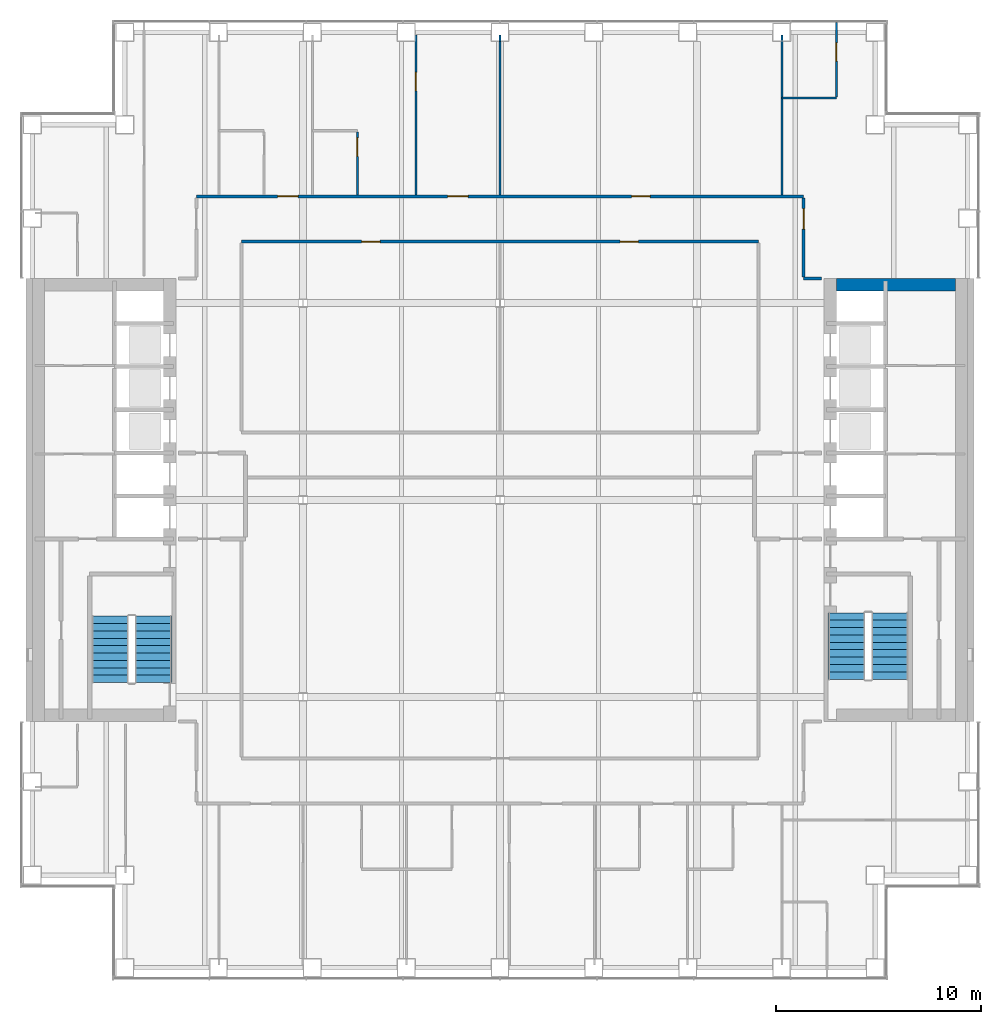
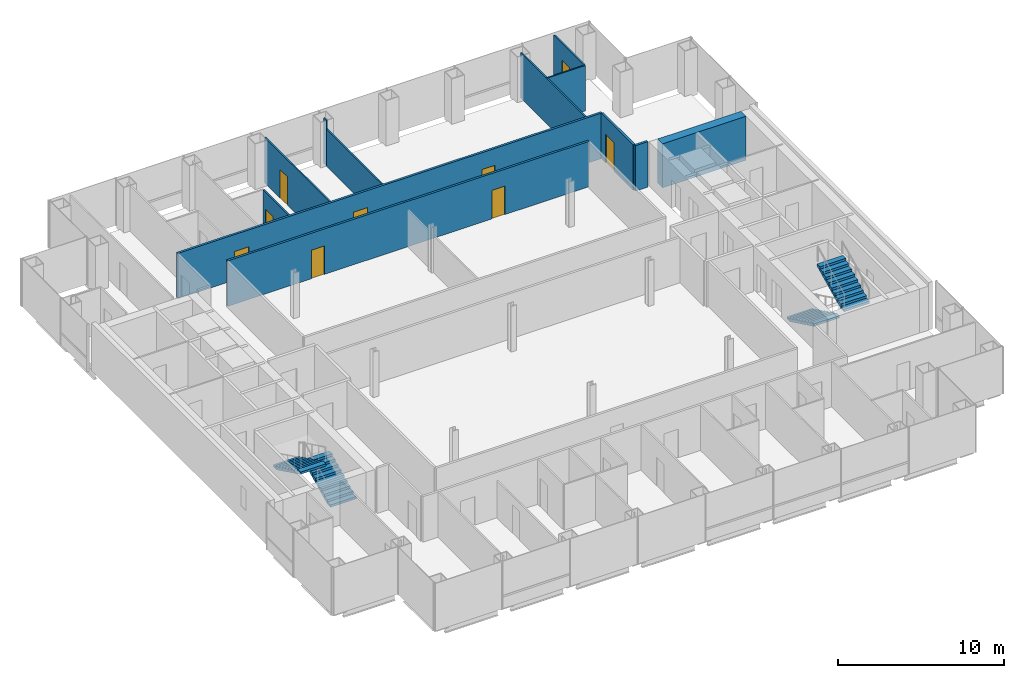
# One storey, part 13 of 15: 12 walls, 9 doors, 4 stair flights, 9 openings, 2 elements without a shape of their own.
"""IFC4 building model written with IfcOpenShell, lengths in metres."""

from ifc_helpers import new_model, si_unit, direction, frame, frame_2d, origin, place, context, subcontext, project, spatial, polyline, rectangle, outline, extrude, material, layer, layer_set, type_object, element, fill, aggregate, save


model = new_model("IFC4")

# Units and contexts
model_context = context("Model", 3, precision=1e-05, world=origin(), true_north=direction((0.0, 1.0)))
body_context = subcontext(model_context, "Body", "Model", "MODEL_VIEW")
ifc_project = project(units=[si_unit("LENGTHUNIT", "METRE"), si_unit("AREAUNIT", "SQUARE_METRE"), si_unit("VOLUMEUNIT", "CUBIC_METRE"), si_unit("PLANEANGLEUNIT", "RADIAN"), si_unit("MASSUNIT", "GRAM", prefix="KILO")], contexts=[model_context])

# Site, building, storey
site_placement = place(None, origin())
site = spatial("IfcSite", under=ifc_project, at=site_placement, CompositionType="ELEMENT")
building_placement = place(site_placement, origin())
building = spatial("IfcBuilding", under=site, at=building_placement, Name="Cobrizo Arcos Hotel Tower", CompositionType="ELEMENT")
storey_placement = place(building_placement, frame((0.0, 0.0, 99.5)))
storey = spatial("IfcBuildingStorey", under=building, at=storey_placement, Name="L24", CompositionType="ELEMENT", Elevation=99.5)

# Wall
ifc_material_1 = material(Name="Gypsum board partition")
ifc_layer_1 = layer(ifc_material_1, 0.14990234375)
ifc_layer_set_1 = layer_set([ifc_layer_1], Name="Corridor wall EI 60 150")
wall_type_1 = type_object("IfcWallType", Name="Corridor wall EI 60 150", PredefinedType="PARTITIONING", material=ifc_layer_set_1)
wall_1_placement = place(storey_placement, frame((14.800048828125, 10.800048828125, 0.0), z_axis=(0.0, 0.0, 1.0), x_axis=(1.0, 0.0, 0.0)))
element("IfcWall", 1, at=wall_1_placement, inside=storey, type_object=wall_type_1, Name="Partition 036", PredefinedType="PARTITIONING", context=body_context, shape_type="SweptSolid", body=[
    extrude(rectangle(XDim=0.8798828125, YDim=0.14990234375, at=frame_2d((0.43994140625, 0.0))), origin(), (0.0, 0.0, 1.0), 3.35009765625),
])

# Wall, openings, doors
wall_2_placement = place(storey_placement, frame((-12.60009765625, 12.60009765625, 0.0), z_axis=(0.0, 0.0, 1.0), x_axis=(1.0, 0.0, 0.0)))
wall_2 = element("IfcWall", 2, at=wall_2_placement, inside=storey, type_object=wall_type_1, Name="Partition 037", PredefinedType="PARTITIONING", context=body_context, shape_type="SweptSolid", body=[
    extrude(rectangle(XDim=25.2001953125, YDim=0.14990234375, at=frame_2d((12.60009765625, 0.0))), origin(), (0.0, 0.0, 1.0), 3.35009765625),
])
opening_1_placement = place(wall_2_placement, frame((5.85009765625, 0.0, 0.0)))
opening_1 = element("IfcOpeningElement", 3, at=opening_1_placement, cuts=wall_2, Name="Opening RD-16", PredefinedType="OPENING", context=body_context, shape_type="SweptSolid", body=[
    extrude(rectangle(XDim=0.89990234375, YDim=2.10009765625, at=frame_2d((0.449951171875, 1.050048828125))), frame((0.0, 0.0869140625, 0.0), z_axis=(0.0, -1.0, 0.0), x_axis=(1.0, 0.0, 0.0)), (0.0, 0.0, 1.0), 0.173828125),
])
opening_2_placement = place(wall_2_placement, frame((18.449951171875, 0.0, 0.0)))
opening_2 = element("IfcOpeningElement", 4, at=opening_2_placement, cuts=wall_2, Name="Opening RD-17", PredefinedType="OPENING", context=body_context, shape_type="SweptSolid", body=[
    extrude(rectangle(XDim=0.89990234375, YDim=2.10009765625, at=frame_2d((0.449951171875, 1.050048828125))), frame((0.0, 0.0869140625, 0.0), z_axis=(0.0, -1.0, 0.0), x_axis=(1.0, 0.0, 0.0)), (0.0, 0.0, 1.0), 0.173828125),
])
ifc_material_2 = material(Name="Timber door leaf", Category="wood")
door_type_1 = type_object("IfcDoorType", Name="Room door FD30 900x2100", OperationType="SINGLE_SWING_LEFT", PredefinedType="DOOR", material=ifc_material_2)
door_1_placement = place(opening_1_placement, origin())
door_1 = element("IfcDoor", 5, at=door_1_placement, inside=storey, type_object=door_type_1, Name="Door RD-16", OperationType="SINGLE_SWING_LEFT", OverallHeight=2.10009765625, OverallWidth=0.89990234375, PredefinedType="DOOR", context=body_context, shape_type="SweptSolid", body=[
    extrude(rectangle(XDim=0.89990234375, YDim=2.10009765625, at=frame_2d((0.449951171875, 1.050048828125))), frame((0.0, 0.02490234375, 0.0), z_axis=(0.0, -1.0, 0.0), x_axis=(1.0, 0.0, 0.0)), (0.0, 0.0, 1.0), 0.050048828125),
])
fill(opening_1, door_1)
door_2_placement = place(opening_2_placement, origin())
door_2 = element("IfcDoor", 6, at=door_2_placement, inside=storey, type_object=door_type_1, Name="Door RD-17", OperationType="SINGLE_SWING_LEFT", OverallHeight=2.10009765625, OverallWidth=0.89990234375, PredefinedType="DOOR", context=body_context, shape_type="SweptSolid", body=[
    extrude(rectangle(XDim=0.89990234375, YDim=2.10009765625, at=frame_2d((0.449951171875, 1.050048828125))), frame((0.0, 0.02490234375, 0.0), z_axis=(0.0, -1.0, 0.0), x_axis=(1.0, 0.0, 0.0)), (0.0, 0.0, 1.0), 0.050048828125),
])
fill(opening_2, door_2)

wall_3_placement = place(storey_placement, frame((-14.800048828125, 14.800048828125, 0.0), z_axis=(0.0, 0.0, 1.0), x_axis=(1.0, 0.0, 0.0)))
wall_3 = element("IfcWall", 7, at=wall_3_placement, inside=storey, type_object=wall_type_1, Name="Partition 039", PredefinedType="PARTITIONING", context=body_context, shape_type="SweptSolid", body=[
    extrude(rectangle(XDim=29.60009765625, YDim=0.14990234375, at=frame_2d((14.800048828125, 0.0))), origin(), (0.0, 0.0, 1.0), 3.35009765625),
])
opening_3_placement = place(wall_3_placement, frame((3.962890625, 0.0, 0.0)))
opening_3 = element("IfcOpeningElement", 8, at=opening_3_placement, cuts=wall_3, Name="Opening GD-01", PredefinedType="OPENING", context=body_context, shape_type="SweptSolid", body=[
    extrude(rectangle(XDim=1.0, YDim=2.10009765625, at=frame_2d((0.5, 1.050048828125))), frame((0.0, 0.0869140625, 0.0), z_axis=(0.0, -1.0, 0.0), x_axis=(1.0, 0.0, 0.0)), (0.0, 0.0, 1.0), 0.173828125),
])
opening_4_placement = place(wall_3_placement, frame((12.240966796875, 0.0, 0.0)))
opening_4 = element("IfcOpeningElement", 9, at=opening_4_placement, cuts=wall_3, Name="Opening GD-02", PredefinedType="OPENING", context=body_context, shape_type="SweptSolid", body=[
    extrude(rectangle(XDim=1.0, YDim=2.10009765625, at=frame_2d((0.5, 1.050048828125))), frame((0.0, 0.0869140625, 0.0), z_axis=(0.0, -1.0, 0.0), x_axis=(1.0, 0.0, 0.0)), (0.0, 0.0, 1.0), 0.173828125),
])
opening_5_placement = place(wall_3_placement, frame((21.212890625, 0.0, 0.0)))
opening_5 = element("IfcOpeningElement", 10, at=opening_5_placement, cuts=wall_3, Name="Opening RD-10", PredefinedType="OPENING", context=body_context, shape_type="SweptSolid", body=[
    extrude(rectangle(XDim=0.89990234375, YDim=2.10009765625, at=frame_2d((0.449951171875, 1.050048828125))), frame((0.0, 0.0869140625, 0.0), z_axis=(0.0, -1.0, 0.0), x_axis=(1.0, 0.0, 0.0)), (0.0, 0.0, 1.0), 0.173828125),
])
door_type_2 = type_object("IfcDoorType", Name="Guest room door FD30S 1000x2100", OperationType="SINGLE_SWING_LEFT", PredefinedType="DOOR", material=ifc_material_2)
door_3_placement = place(opening_3_placement, origin())
door_3 = element("IfcDoor", 11, at=door_3_placement, inside=storey, type_object=door_type_2, Name="Door GD-01", OperationType="SINGLE_SWING_LEFT", OverallHeight=2.10009765625, OverallWidth=1.0, PredefinedType="DOOR", context=body_context, shape_type="SweptSolid", body=[
    extrude(rectangle(XDim=1.0, YDim=2.10009765625, at=frame_2d((0.5, 1.050048828125))), frame((0.0, 0.02490234375, 0.0), z_axis=(0.0, -1.0, 0.0), x_axis=(1.0, 0.0, 0.0)), (0.0, 0.0, 1.0), 0.050048828125),
])
fill(opening_3, door_3)
door_4_placement = place(opening_4_placement, origin())
door_4 = element("IfcDoor", 12, at=door_4_placement, inside=storey, type_object=door_type_2, Name="Door GD-02", OperationType="SINGLE_SWING_LEFT", OverallHeight=2.10009765625, OverallWidth=1.0, PredefinedType="DOOR", context=body_context, shape_type="SweptSolid", body=[
    extrude(rectangle(XDim=1.0, YDim=2.10009765625, at=frame_2d((0.5, 1.050048828125))), frame((0.0, 0.02490234375, 0.0), z_axis=(0.0, -1.0, 0.0), x_axis=(1.0, 0.0, 0.0)), (0.0, 0.0, 1.0), 0.050048828125),
])
fill(opening_4, door_4)
door_5_placement = place(opening_5_placement, origin())
door_5 = element("IfcDoor", 13, at=door_5_placement, inside=storey, type_object=door_type_1, Name="Door RD-10", OperationType="SINGLE_SWING_RIGHT", OverallHeight=2.10009765625, OverallWidth=0.89990234375, PredefinedType="DOOR", context=body_context, shape_type="SweptSolid", body=[
    extrude(rectangle(XDim=0.89990234375, YDim=2.10009765625, at=frame_2d((0.449951171875, 1.050048828125))), frame((0.0, 0.02490234375, 0.0), z_axis=(0.0, -1.0, 0.0), x_axis=(1.0, 0.0, 0.0)), (0.0, 0.0, 1.0), 0.050048828125),
])
fill(opening_5, door_5)

# Wall, opening, door
wall_4_placement = place(storey_placement, frame((14.800048828125, 10.875, 0.0), z_axis=(0.0, 0.0, 1.0), x_axis=(0.0, 1.0, 0.0)))
wall_4 = element("IfcWall", 14, at=wall_4_placement, inside=storey, type_object=wall_type_1, Name="Partition 085", PredefinedType="PARTITIONING", context=body_context, shape_type="SweptSolid", body=[
    extrude(rectangle(XDim=3.85009765625, YDim=0.14990234375, at=frame_2d((1.925048828125, 0.0))), origin(), (0.0, 0.0, 1.0), 3.35009765625),
])
opening_6_placement = place(wall_4_placement, frame((2.324951171875, 0.0, 0.0)))
opening_6 = element("IfcOpeningElement", 15, at=opening_6_placement, cuts=wall_4, Name="Opening GD-10", PredefinedType="OPENING", context=body_context, shape_type="SweptSolid", body=[
    extrude(rectangle(XDim=1.0, YDim=2.10009765625, at=frame_2d((0.5, 1.050048828125))), frame((0.0, 0.0869140625, 0.0), z_axis=(0.0, -1.0, 0.0), x_axis=(1.0, 0.0, 0.0)), (0.0, 0.0, 1.0), 0.173828125),
])
door_6_placement = place(opening_6_placement, origin())
door_6 = element("IfcDoor", 16, at=door_6_placement, inside=storey, type_object=door_type_2, Name="Door GD-10", OperationType="SINGLE_SWING_LEFT", OverallHeight=2.10009765625, OverallWidth=1.0, PredefinedType="DOOR", context=body_context, shape_type="SweptSolid", body=[
    extrude(rectangle(XDim=1.0, YDim=2.10009765625, at=frame_2d((0.5, 1.050048828125))), frame((0.0, 0.02490234375, 0.0), z_axis=(0.0, -1.0, 0.0), x_axis=(1.0, 0.0, 0.0)), (0.0, 0.0, 1.0), 0.050048828125),
])
fill(opening_6, door_6)

# Wall
ifc_layer_2 = layer(ifc_material_1, 0.10009765625)
ifc_layer_set_2 = layer_set([ifc_layer_2], Name="Partition EI 30 100")
wall_type_2 = type_object("IfcWallType", Name="Partition EI 30 100", PredefinedType="PARTITIONING", material=ifc_layer_set_2)
wall_5_placement = place(storey_placement, frame((13.75, 19.60009765625, 0.0), z_axis=(0.0, 0.0, 1.0), x_axis=(1.0, 0.0, 0.0)))
element("IfcWall", 17, at=wall_5_placement, inside=storey, type_object=wall_type_2, Name="Partition 042", PredefinedType="PARTITIONING", context=body_context, shape_type="SweptSolid", body=[
    extrude(rectangle(XDim=2.64990234375, YDim=0.10009765625, at=frame_2d((1.324951171875, 0.0))), origin(), (0.0, 0.0, 1.0), 3.35009765625),
])

# Wall, opening, door
wall_6_placement = place(storey_placement, frame((-6.949951171875, 14.875, 0.0), z_axis=(0.0, 0.0, 1.0), x_axis=(0.0, 1.0, 0.0)))
wall_6 = element("IfcWall", 18, at=wall_6_placement, inside=storey, type_object=wall_type_2, Name="Partition 063", PredefinedType="PARTITIONING", context=body_context, shape_type="SweptSolid", body=[
    extrude(rectangle(XDim=3.074951171875, YDim=0.10009765625, at=frame_2d((1.53759765625, 0.0))), origin(), (0.0, 0.0, 1.0), 3.35009765625),
])
opening_7_placement = place(wall_6_placement, frame((1.875, 0.0, 0.0)))
opening_7 = element("IfcOpeningElement", 19, at=opening_7_placement, cuts=wall_6, Name="Opening ED-02", PredefinedType="OPENING", context=body_context, shape_type="SweptSolid", body=[
    extrude(rectangle(XDim=0.89990234375, YDim=2.10009765625, at=frame_2d((0.449951171875, 1.050048828125))), frame((0.0, 0.06201171875, 0.0), z_axis=(0.0, -1.0, 0.0), x_axis=(1.0, 0.0, 0.0)), (0.0, 0.0, 1.0), 0.1240234375),
])
door_type_3 = type_object("IfcDoorType", Name="En-suite door 900x2100", OperationType="SINGLE_SWING_LEFT", PredefinedType="DOOR", material=ifc_material_2)
door_7_placement = place(opening_7_placement, origin())
door_7 = element("IfcDoor", 20, at=door_7_placement, inside=storey, type_object=door_type_3, Name="Door ED-02", OperationType="SINGLE_SWING_RIGHT", OverallHeight=2.10009765625, OverallWidth=0.89990234375, PredefinedType="DOOR", context=body_context, shape_type="SweptSolid", body=[
    extrude(rectangle(XDim=0.89990234375, YDim=2.10009765625, at=frame_2d((0.449951171875, 1.050048828125))), frame((0.0, 0.02490234375, 0.0), z_axis=(0.0, -1.0, 0.0), x_axis=(1.0, 0.0, 0.0)), (0.0, 0.0, 1.0), 0.050048828125),
])
fill(opening_7, door_7)

wall_7_placement = place(storey_placement, frame((-4.10009765625, 14.875, 0.0), z_axis=(0.0, 0.0, 1.0), x_axis=(0.0, 1.0, 0.0)))
wall_7 = element("IfcWall", 21, at=wall_7_placement, inside=storey, type_object=wall_type_2, Name="Partition 067", PredefinedType="PARTITIONING", context=body_context, shape_type="SweptSolid", body=[
    extrude(rectangle(XDim=7.804931640625, YDim=0.10009765625, at=frame_2d((3.90234375, 0.0))), origin(), (0.0, 0.0, 1.0), 3.35009765625),
])
opening_8_placement = place(wall_7_placement, frame((5.074951171875, 0.0, 0.0)))
opening_8 = element("IfcOpeningElement", 22, at=opening_8_placement, cuts=wall_7, Name="Opening RD-09", PredefinedType="OPENING", context=body_context, shape_type="SweptSolid", body=[
    extrude(rectangle(XDim=0.89990234375, YDim=2.10009765625, at=frame_2d((0.449951171875, 1.050048828125))), frame((0.0, 0.06201171875, 0.0), z_axis=(0.0, -1.0, 0.0), x_axis=(1.0, 0.0, 0.0)), (0.0, 0.0, 1.0), 0.1240234375),
])
door_8_placement = place(opening_8_placement, origin())
door_8 = element("IfcDoor", 23, at=door_8_placement, inside=storey, type_object=door_type_1, Name="Door RD-09", OperationType="SINGLE_SWING_LEFT", OverallHeight=2.10009765625, OverallWidth=0.89990234375, PredefinedType="DOOR", context=body_context, shape_type="SweptSolid", body=[
    extrude(rectangle(XDim=0.89990234375, YDim=2.10009765625, at=frame_2d((0.449951171875, 1.050048828125))), frame((0.0, 0.02490234375, 0.0), z_axis=(0.0, -1.0, 0.0), x_axis=(1.0, 0.0, 0.0)), (0.0, 0.0, 1.0), 0.050048828125),
])
fill(opening_8, door_8)

# Walls
wall_8_placement = place(storey_placement, frame((0.0, 14.875, 0.0), z_axis=(0.0, 0.0, 1.0), x_axis=(0.0, 1.0, 0.0)))
element("IfcWall", 24, at=wall_8_placement, inside=storey, type_object=wall_type_2, Name="Partition 072", PredefinedType="PARTITIONING", context=body_context, shape_type="SweptSolid", body=[
    extrude(rectangle(XDim=7.47509765625, YDim=0.10009765625, at=frame_2d((3.737548828125, 0.0))), origin(), (0.0, 0.0, 1.0), 2.72802734375),
])
wall_9_placement = place(storey_placement, frame((0.0, 22.35009765625, 0.0), z_axis=(0.0, 0.0, 1.0), x_axis=(0.0, 1.0, 0.0)))
element("IfcWall", 25, at=wall_9_placement, inside=storey, type_object=wall_type_2, Name="Partition 073", PredefinedType="PARTITIONING", context=body_context, shape_type="SweptSolid", body=[
    extrude(rectangle(XDim=0.329833984375, YDim=0.10009765625, at=frame_2d((0.1650390625, 0.0))), origin(), (0.0, 0.0, 1.0), 3.35009765625),
])
wall_10_placement = place(storey_placement, frame((13.75, 14.875, 0.0), z_axis=(0.0, 0.0, 1.0), x_axis=(0.0, 1.0, 0.0)))
element("IfcWall", 26, at=wall_10_placement, inside=storey, type_object=wall_type_2, Name="Partition 083", PredefinedType="PARTITIONING", context=body_context, shape_type="SweptSolid", body=[
    extrude(rectangle(XDim=7.804931640625, YDim=0.10009765625, at=frame_2d((3.90234375, 0.0))), origin(), (0.0, 0.0, 1.0), 3.35009765625),
])

# Wall, opening, door
wall_11_placement = place(storey_placement, frame((16.39990234375, 19.64990234375, 0.0), z_axis=(0.0, 0.0, 1.0), x_axis=(0.0, 1.0, 0.0)))
wall_11 = element("IfcWall", 27, at=wall_11_placement, inside=storey, type_object=wall_type_2, Name="Partition 087", PredefinedType="PARTITIONING", context=body_context, shape_type="SweptSolid", body=[
    extrude(rectangle(XDim=3.630126953125, YDim=0.10009765625, at=frame_2d((1.81494140625, 0.0))), origin(), (0.0, 0.0, 1.0), 3.35009765625),
])
opening_9_placement = place(wall_11_placement, frame((1.739990234375, 0.0, 0.0)))
opening_9 = element("IfcOpeningElement", 28, at=opening_9_placement, cuts=wall_11, Name="Opening ED-10", PredefinedType="OPENING", context=body_context, shape_type="SweptSolid", body=[
    extrude(rectangle(XDim=0.89990234375, YDim=2.10009765625, at=frame_2d((0.449951171875, 1.050048828125))), frame((0.0, 0.06201171875, 0.0), z_axis=(0.0, -1.0, 0.0), x_axis=(1.0, 0.0, 0.0)), (0.0, 0.0, 1.0), 0.1240234375),
])
door_9_placement = place(opening_9_placement, origin())
door_9 = element("IfcDoor", 29, at=door_9_placement, inside=storey, type_object=door_type_3, Name="Door ED-10", OperationType="SINGLE_SWING_RIGHT", OverallHeight=2.10009765625, OverallWidth=0.89990234375, PredefinedType="DOOR", context=body_context, shape_type="SweptSolid", body=[
    extrude(rectangle(XDim=0.89990234375, YDim=2.10009765625, at=frame_2d((0.449951171875, 1.050048828125))), frame((0.0, 0.02490234375, 0.0), z_axis=(0.0, -1.0, 0.0), x_axis=(1.0, 0.0, 0.0)), (0.0, 0.0, 1.0), 0.050048828125),
])
fill(opening_9, door_9)

# Wall
ifc_material_3 = material(Name="Concrete f'c 50 MPa", Category="concrete")
ifc_layer_3 = layer(ifc_material_3, 0.60009765625)
ifc_layer_set_3 = layer_set([ifc_layer_3], Name="RC core wall 600 f'c 50")
wall_type_3 = type_object("IfcWallType", Name="RC core wall 600 f'c 50", PredefinedType="SHEAR", material=ifc_layer_set_3)
wall_12_placement = place(storey_placement, frame((16.39990234375, 10.5, 0.0), z_axis=(0.0, 0.0, 1.0), x_axis=(1.0, 0.0, 0.0)))
element("IfcWall", 30, at=wall_12_placement, inside=storey, type_object=wall_type_3, Name="Core wall CW2, east core, north end, L24", PredefinedType="SHEAR", context=body_context, shape_type="SweptSolid", body=[
    extrude(rectangle(XDim=5.800048828125, YDim=0.60009765625, at=frame_2d((2.89990234375, 0.0))), origin(), (0.0, 0.0, 1.0), 3.25),
])

# Stair, stair flights
ifc_material_4 = material(Name="Concrete f'c 40 MPa", Category="concrete")
stair_type = type_object("IfcStairType", Name="Exit stair", PredefinedType="HALF_TURN_STAIR", material=ifc_material_4)
stair_1_placement = place(storey_placement, origin())
stair_1 = element("IfcStair", 31, at=stair_1_placement, inside=storey, type_object=stair_type, Name="L24 Exit stair ST-W", PredefinedType="HALF_TURN_STAIR")
stair_flight_type = type_object("IfcStairFlightType", Name="Exit stair flight", PredefinedType="STRAIGHT", material=ifc_material_4)
stair_flight_1_placement = place(storey_placement, frame((-16.89990234375, -8.89990234375, 0.0), z_axis=(0.0, 0.0, 1.0), x_axis=(0.0, 1.0, 0.0)))
stair_flight_1 = element("IfcStairFlight", 32, at=stair_flight_1_placement, type_object=stair_flight_type, Name="ST-W flight 1", NumberOfRisers=10, NumberOfTreads=9, PredefinedType="STRAIGHT", RiserHeight=0.175, TreadLength=0.36, context=body_context, shape_type="SweptSolid", body=[
    extrude(outline(polyline([(0.0, 0.0), (0.0, 0.175048828125), (0.360107421875, 0.175048828125), (0.360107421875, 0.35009765625), (0.719970703125, 0.35009765625), (0.719970703125, 0.52490234375), (1.080078125, 0.52490234375), (1.080078125, 0.699951171875), (1.43994140625, 0.699951171875), (1.43994140625, 0.875), (1.800048828125, 0.875), (1.800048828125, 1.050048828125), (2.159912109375, 1.050048828125), (2.159912109375, 1.22509765625), (2.52001953125, 1.22509765625), (2.52001953125, 1.39990234375), (2.8798828125, 1.39990234375), (2.8798828125, 1.574951171875), (3.239990234375, 1.574951171875), (3.239990234375, 1.75), (3.239990234375, 1.408203125), (0.3427734375, 0.0), (0.0, 0.0)])), frame((0.0, 0.89990234375, 0.0), z_axis=(0.0, -1.0, 0.0), x_axis=(1.0, 0.0, 0.0)), (0.0, 0.0, 1.0), 1.800048828125),
])
stair_flight_2_placement = place(storey_placement, frame((-19.0, -5.659912109375, 1.75), z_axis=(0.0, 0.0, 1.0), x_axis=(0.0, -1.0, 0.0)))
stair_flight_2 = element("IfcStairFlight", 33, at=stair_flight_2_placement, type_object=stair_flight_type, Name="ST-W flight 2", NumberOfRisers=10, NumberOfTreads=9, PredefinedType="STRAIGHT", RiserHeight=0.175, TreadLength=0.36, context=body_context, shape_type="SweptSolid", body=[
    extrude(outline(polyline([(0.0, 0.0), (0.0, 0.175048828125), (0.360107421875, 0.175048828125), (0.360107421875, 0.35009765625), (0.719970703125, 0.35009765625), (0.719970703125, 0.52490234375), (1.080078125, 0.52490234375), (1.080078125, 0.699951171875), (1.43994140625, 0.699951171875), (1.43994140625, 0.875), (1.800048828125, 0.875), (1.800048828125, 1.050048828125), (2.159912109375, 1.050048828125), (2.159912109375, 1.22509765625), (2.52001953125, 1.22509765625), (2.52001953125, 1.39990234375), (2.8798828125, 1.39990234375), (2.8798828125, 1.574951171875), (3.239990234375, 1.574951171875), (3.239990234375, 1.75), (3.239990234375, 1.408203125), (0.3427734375, 0.0), (0.0, 0.0)])), frame((0.0, 0.89990234375, 0.0), z_axis=(0.0, -1.0, 0.0), x_axis=(1.0, 0.0, 0.0)), (0.0, 0.0, 1.0), 1.800048828125),
])
aggregate(stair_1, [stair_flight_1, stair_flight_2])

stair_2_placement = place(storey_placement, origin())
stair_2 = element("IfcStair", 34, at=stair_2_placement, inside=storey, type_object=stair_type, Name="L24 Exit stair ST-E", PredefinedType="HALF_TURN_STAIR")
stair_flight_3_placement = place(storey_placement, frame((16.89990234375, -5.5, 0.0), z_axis=(0.0, 0.0, 1.0), x_axis=(0.0, -1.0, 0.0)))
stair_flight_3 = element("IfcStairFlight", 35, at=stair_flight_3_placement, type_object=stair_flight_type, Name="ST-E flight 1", NumberOfRisers=10, NumberOfTreads=9, PredefinedType="STRAIGHT", RiserHeight=0.175, TreadLength=0.36, context=body_context, shape_type="SweptSolid", body=[
    extrude(outline(polyline([(0.0, 0.0), (0.0, 0.175048828125), (0.360107421875, 0.175048828125), (0.360107421875, 0.35009765625), (0.719970703125, 0.35009765625), (0.719970703125, 0.52490234375), (1.080078125, 0.52490234375), (1.080078125, 0.699951171875), (1.43994140625, 0.699951171875), (1.43994140625, 0.875), (1.800048828125, 0.875), (1.800048828125, 1.050048828125), (2.159912109375, 1.050048828125), (2.159912109375, 1.22509765625), (2.52001953125, 1.22509765625), (2.52001953125, 1.39990234375), (2.8798828125, 1.39990234375), (2.8798828125, 1.574951171875), (3.239990234375, 1.574951171875), (3.239990234375, 1.75), (3.239990234375, 1.408203125), (0.3427734375, 0.0), (0.0, 0.0)])), frame((0.0, 0.89990234375, 0.0), z_axis=(0.0, -1.0, 0.0), x_axis=(1.0, 0.0, 0.0)), (0.0, 0.0, 1.0), 1.800048828125),
])
stair_flight_4_placement = place(storey_placement, frame((19.0, -8.739990234375, 1.75), z_axis=(0.0, 0.0, 1.0), x_axis=(0.0, 1.0, 0.0)))
stair_flight_4 = element("IfcStairFlight", 36, at=stair_flight_4_placement, type_object=stair_flight_type, Name="ST-E flight 2", NumberOfRisers=10, NumberOfTreads=9, PredefinedType="STRAIGHT", RiserHeight=0.175, TreadLength=0.36, context=body_context, shape_type="SweptSolid", body=[
    extrude(outline(polyline([(0.0, 0.0), (0.0, 0.175048828125), (0.360107421875, 0.175048828125), (0.360107421875, 0.35009765625), (0.719970703125, 0.35009765625), (0.719970703125, 0.52490234375), (1.080078125, 0.52490234375), (1.080078125, 0.699951171875), (1.43994140625, 0.699951171875), (1.43994140625, 0.875), (1.800048828125, 0.875), (1.800048828125, 1.050048828125), (2.159912109375, 1.050048828125), (2.159912109375, 1.22509765625), (2.52001953125, 1.22509765625), (2.52001953125, 1.39990234375), (2.8798828125, 1.39990234375), (2.8798828125, 1.574951171875), (3.239990234375, 1.574951171875), (3.239990234375, 1.75), (3.239990234375, 1.408203125), (0.3427734375, 0.0), (0.0, 0.0)])), frame((0.0, 0.89990234375, 0.0), z_axis=(0.0, -1.0, 0.0), x_axis=(1.0, 0.0, 0.0)), (0.0, 0.0, 1.0), 1.800048828125),
])
aggregate(stair_2, [stair_flight_3, stair_flight_4])

save(model, "model.ifc")
